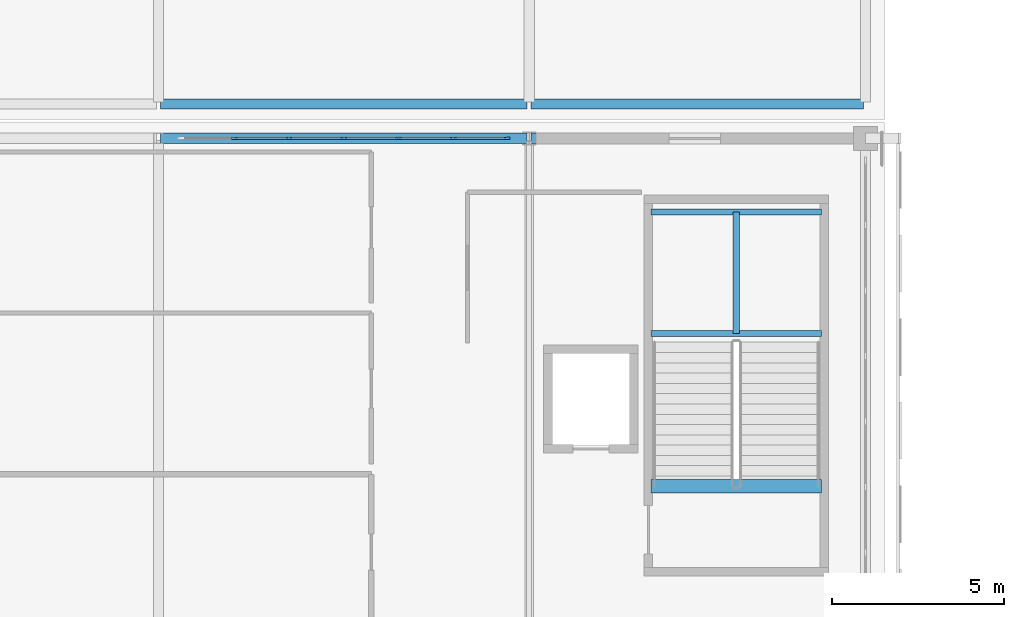
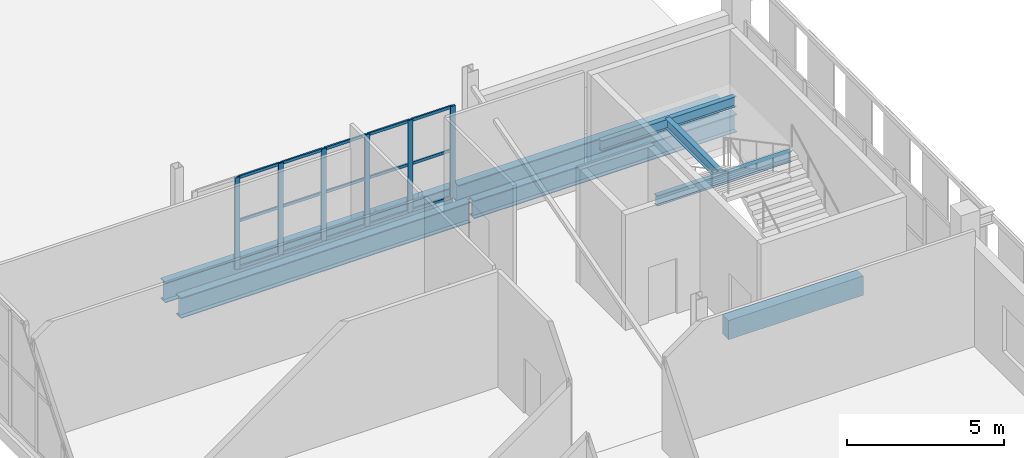
# One storey, part 48 of 104: 21 members, 8 beams, 1 element without a shape of its own.
"""IFC4 building model written with IfcOpenShell, lengths in metres."""

from ifc_helpers import new_model, si_unit, direction, frame, origin, origin_2d, place, context, subcontext, project, spatial, rectangle, i_section, extrude, material, material_profile, profile_set, type_object, element, aggregate, save


model = new_model("IFC4")

# Units and contexts
model_context = context("Model", 3, precision=1e-05, world=origin(), true_north=direction((0.0, 1.0)))
body_context = subcontext(model_context, "Body", "Model", "MODEL_VIEW")
ifc_project = project(units=[si_unit("LENGTHUNIT", "METRE"), si_unit("AREAUNIT", "SQUARE_METRE"), si_unit("VOLUMEUNIT", "CUBIC_METRE"), si_unit("PLANEANGLEUNIT", "RADIAN"), si_unit("MASSUNIT", "GRAM", prefix="KILO")], contexts=[model_context])

# Site, building, storey
site_placement = place(None, origin())
site = spatial("IfcSite", under=ifc_project, at=site_placement, CompositionType="ELEMENT")
building_placement = place(site_placement, origin())
building = spatial("IfcBuilding", under=site, at=building_placement, Name="Koshinbarg Plaza Stadium", CompositionType="ELEMENT")
storey_placement = place(building_placement, frame((0.0, 0.0, 19.800048828125)))
storey = spatial("IfcBuildingStorey", under=building, at=storey_placement, Name="L04", CompositionType="ELEMENT", Elevation=19.800048828125)

# Beams
ifc_material_1 = material(Name="Concrete C40/50", Category="concrete")
ifc_material_profile_1 = material_profile(ifc_material_1, rectangle(XDim=0.39990234375, YDim=0.75, at=origin_2d()), Name="RC 400x750")
ifc_profile_set_1 = profile_set([ifc_material_profile_1], Name="Concrete C40/50")
beam_type_1 = type_object("IfcBeamType", Name="BM-RCG-03", PredefinedType="USERDEFINED", material=ifc_profile_set_1)
beam_1_placement = place(storey_placement, frame((212.14990234375, 116.360107421875, -0.375), z_axis=(1.0, 0.0, 0.0), x_axis=(0.0, 1.0, 0.0)))
element("IfcBeam", 1, at=beam_1_placement, inside=storey, type_object=beam_type_1, Name="L04 stair landing header beam C10", ObjectType="GIRDER", PredefinedType="USERDEFINED", context=body_context, shape_type="SweptSolid", body=[
    extrude(rectangle(XDim=0.39990234375, YDim=0.75, at=origin_2d()), origin(), (0.0, 0.0, 1.0), 4.97021484375),
])
ifc_material_2 = material(Name="Steel S355", Category="steel")
ifc_material_profile_2 = material_profile(ifc_material_2, i_section(OverallWidth=0.179931640625, OverallDepth=0.39990234375, WebThickness=0.008544921875, FlangeThickness=0.013427734375, at=origin_2d()), Name="IPE 400")
ifc_profile_set_2 = profile_set([ifc_material_profile_2], Name="Steel S355")
beam_type_2 = type_object("IfcBeamType", Name="BM-SBM-01", PredefinedType="BEAM", material=ifc_profile_set_2)
for number, where, z_axis, x_axis, name in (
    (2, (212.14990234375, 120.81005859375, 1.8798828125), (1.0, 0.0, 0.0), (0.0, 1.0, 0.0), "L04 Protected Exit Stair C10 landing trimmer beam 1"),
    (3, (212.14990234375, 124.35009765625, 1.8798828125), (1.0, 0.0, 0.0), (0.0, 1.0, 0.0), "L04 Protected Exit Stair C10 landing trimmer beam 2"),
):
    element("IfcBeam", number, at=place(storey_placement, frame(where, z_axis=z_axis, x_axis=x_axis)), inside=storey, type_object=beam_type_2, Name=name, PredefinedType="BEAM", context=body_context, shape_type="SweptSolid", body=[
        extrude(i_section(OverallWidth=0.179931640625, OverallDepth=0.39990234375, WebThickness=0.008544921875, FlangeThickness=0.013427734375, at=origin_2d()), origin(), (0.0, 0.0, 1.0), 4.97021484375),
    ])
beam_2_placement = place(storey_placement, frame((214.635009765625, 120.81005859375, 1.8798828125), z_axis=(0.0, 1.0, 0.0), x_axis=(-1.0, 0.0, 0.0)))
element("IfcBeam", 4, at=beam_2_placement, inside=storey, type_object=beam_type_2, Name="L04 Protected Exit Stair C10 landing trimmer beam 3", PredefinedType="BEAM", context=body_context, shape_type="SweptSolid", body=[
    extrude(i_section(OverallWidth=0.179931640625, OverallDepth=0.39990234375, WebThickness=0.008544921875, FlangeThickness=0.013427734375, at=origin_2d()), origin(), (0.0, 0.0, 1.0), 3.5400390625),
])
ifc_material_profile_3 = material_profile(ifc_material_2, i_section(OverallWidth=0.300048828125, OverallDepth=0.699951171875, WebThickness=0.01708984375, FlangeThickness=0.031982421875, at=origin_2d()), Name="HEB 700")
ifc_profile_set_3 = profile_set([ifc_material_profile_3], Name="Steel S355")
beam_type_3 = type_object("IfcBeamType", Name="BM-SGIR-03", PredefinedType="USERDEFINED", material=ifc_profile_set_3)
for number, where, z_axis, x_axis, name in (
    (5, (208.659912109375, 126.5, -0.650146484375), (1.0, 0.0, 0.0), (0.0, 1.0, 0.0), "L04 X girder R/20-21"),
    (6, (208.659912109375, 127.5, -0.650146484375), (1.0, 0.0, 0.0), (0.0, 1.0, 0.0), "L04 X girder S/20-21"),
):
    element("IfcBeam", number, at=place(storey_placement, frame(where, z_axis=z_axis, x_axis=x_axis)), inside=storey, type_object=beam_type_3, Name=name, ObjectType="GIRDER", PredefinedType="USERDEFINED", context=body_context, shape_type="SweptSolid", body=[
        extrude(i_section(OverallWidth=0.300048828125, OverallDepth=0.699951171875, WebThickness=0.01708984375, FlangeThickness=0.031982421875, at=origin_2d()), origin(), (0.0, 0.0, 1.0), 9.68017578125),
    ])
ifc_material_profile_4 = material_profile(ifc_material_2, i_section(OverallWidth=0.300048828125, OverallDepth=0.800048828125, WebThickness=0.017578125, FlangeThickness=0.032958984375, at=origin_2d()), Name="HEB 800")
ifc_profile_set_4 = profile_set([ifc_material_profile_4], Name="Steel S355")
beam_type_4 = type_object("IfcBeamType", Name="BM-SGIR-04", PredefinedType="USERDEFINED", material=ifc_profile_set_4)
for number, where, z_axis, x_axis, name in (
    (7, (197.860107421875, 126.5, -0.699951171875), (1.0, 0.0, 0.0), (0.0, 1.0, 0.0), "L04 X girder R/19-20"),
    (8, (197.860107421875, 127.5, -0.699951171875), (1.0, 0.0, 0.0), (0.0, 1.0, 0.0), "L04 X girder S/19-20"),
):
    element("IfcBeam", number, at=place(storey_placement, frame(where, z_axis=z_axis, x_axis=x_axis)), inside=storey, type_object=beam_type_4, Name=name, ObjectType="GIRDER", PredefinedType="USERDEFINED", context=body_context, shape_type="SweptSolid", body=[
        extrude(i_section(OverallWidth=0.300048828125, OverallDepth=0.800048828125, WebThickness=0.017578125, FlangeThickness=0.032958984375, at=origin_2d()), origin(), (0.0, 0.0, 1.0), 10.679931640625),
    ])

# Curtain wall, members
ifc_material_3 = material(Name="Thermally broken anodised aluminium and low-E double glazing", Category="aluminium")
curtain_wall_type = type_object("IfcCurtainWallType", Name="CW-SYS-03", PredefinedType="NOTDEFINED", material=ifc_material_3)
curtain_wall_placement = place(storey_placement, origin())
curtain_wall = element("IfcCurtainWall", 9, at=curtain_wall_placement, inside=storey, type_object=curtain_wall_type, Name="L04 unitised curtain wall CW-L04-098", PredefinedType="NOTDEFINED")
ifc_material_4 = material(Name="Anodised aluminium mullion", Category="aluminium")
ifc_material_profile_5 = material_profile(ifc_material_4, rectangle(XDim=0.070068359375, YDim=0.179931640625, at=origin_2d()), Name="ALU 70x180")
ifc_profile_set_5 = profile_set([ifc_material_profile_5], Name="Anodised aluminium mullion")
member_type_1 = type_object("IfcMemberType", Name="CW-MUL-03", PredefinedType="MULLION", material=ifc_profile_set_5)
member_1_placement = place(storey_placement, frame((200.013427734375, 126.5, 0.0), z_axis=(0.0, 0.0, 1.0), x_axis=(0.0, 1.0, 0.0)))
member_1 = element("IfcMember", 10, at=member_1_placement, type_object=member_type_1, Name="CW03 mullion 2", PredefinedType="MULLION", context=body_context, shape_type="SweptSolid", body=[
    extrude(rectangle(XDim=0.070068359375, YDim=0.179931640625, at=origin_2d()), origin(), (0.0, 0.0, 1.0), 3.579833984375),
])
member_2_placement = place(storey_placement, frame((201.606689453125, 126.5, 0.0), z_axis=(0.0, 0.0, 1.0), x_axis=(0.0, 1.0, 0.0)))
member_2 = element("IfcMember", 11, at=member_2_placement, type_object=member_type_1, Name="CW03 mullion 3", PredefinedType="MULLION", context=body_context, shape_type="SweptSolid", body=[
    extrude(rectangle(XDim=0.070068359375, YDim=0.179931640625, at=origin_2d()), origin(), (0.0, 0.0, 1.0), 3.579833984375),
])
member_3_placement = place(storey_placement, frame((203.199951171875, 126.5, 0.0), z_axis=(0.0, 0.0, 1.0), x_axis=(0.0, 1.0, 0.0)))
member_3 = element("IfcMember", 12, at=member_3_placement, type_object=member_type_1, Name="CW03 mullion 4", PredefinedType="MULLION", context=body_context, shape_type="SweptSolid", body=[
    extrude(rectangle(XDim=0.070068359375, YDim=0.179931640625, at=origin_2d()), origin(), (0.0, 0.0, 1.0), 3.579833984375),
])
member_4_placement = place(storey_placement, frame((204.793212890625, 126.5, 0.0), z_axis=(0.0, 0.0, 1.0), x_axis=(0.0, 1.0, 0.0)))
member_4 = element("IfcMember", 13, at=member_4_placement, type_object=member_type_1, Name="CW03 mullion 5", PredefinedType="MULLION", context=body_context, shape_type="SweptSolid", body=[
    extrude(rectangle(XDim=0.070068359375, YDim=0.179931640625, at=origin_2d()), origin(), (0.0, 0.0, 1.0), 3.579833984375),
])
member_5_placement = place(storey_placement, frame((206.38671875, 126.5, 0.0), z_axis=(0.0, 0.0, 1.0), x_axis=(0.0, 1.0, 0.0)))
member_5 = element("IfcMember", 14, at=member_5_placement, type_object=member_type_1, Name="CW03 mullion 6", PredefinedType="MULLION", context=body_context, shape_type="SweptSolid", body=[
    extrude(rectangle(XDim=0.070068359375, YDim=0.179931640625, at=origin_2d()), origin(), (0.0, 0.0, 1.0), 3.579833984375),
])
member_6_placement = place(storey_placement, frame((207.949951171875, 126.5, 0.0), z_axis=(0.0, 0.0, 1.0), x_axis=(0.0, 1.0, 0.0)))
member_6 = element("IfcMember", 15, at=member_6_placement, type_object=member_type_1, Name="CW03 mullion 7", PredefinedType="MULLION", context=body_context, shape_type="SweptSolid", body=[
    extrude(rectangle(XDim=0.070068359375, YDim=0.179931640625, at=origin_2d()), origin(), (0.0, 0.0, 1.0), 3.579833984375),
])
ifc_material_5 = material(Name="Anodised aluminium transom", Category="aluminium")
ifc_material_profile_6 = material_profile(ifc_material_5, rectangle(XDim=0.06005859375, YDim=0.110107421875, at=origin_2d()), Name="ALU 60x110")
ifc_profile_set_6 = profile_set([ifc_material_profile_6], Name="Anodised aluminium transom")
member_type_2 = type_object("IfcMemberType", Name="CW-TRN-01", PredefinedType="USERDEFINED", material=ifc_profile_set_6)
member_7_placement = place(storey_placement, frame((200.043212890625, 126.5, 0.030029296875), z_axis=(1.0, 0.0, 0.0), x_axis=(0.0, 1.0, 0.0)))
member_7 = element("IfcMember", 16, at=member_7_placement, type_object=member_type_2, Name="CW03 transom 2.1", ObjectType="TRANSOM", PredefinedType="USERDEFINED", context=body_context, shape_type="SweptSolid", body=[
    extrude(rectangle(XDim=0.06005859375, YDim=0.110107421875, at=origin_2d()), origin(), (0.0, 0.0, 1.0), 1.533447265625),
])
member_8_placement = place(storey_placement, frame((200.043212890625, 126.5, 1.861572265625), z_axis=(1.0, 0.0, 0.0), x_axis=(0.0, 1.0, 0.0)))
member_8 = element("IfcMember", 17, at=member_8_placement, type_object=member_type_2, Name="CW03 transom 2.2", ObjectType="TRANSOM", PredefinedType="USERDEFINED", context=body_context, shape_type="SweptSolid", body=[
    extrude(rectangle(XDim=0.06005859375, YDim=0.110107421875, at=origin_2d()), origin(), (0.0, 0.0, 1.0), 1.533447265625),
])
member_9_placement = place(storey_placement, frame((200.043212890625, 126.5, 3.550048828125), z_axis=(1.0, 0.0, 0.0), x_axis=(0.0, 1.0, 0.0)))
member_9 = element("IfcMember", 18, at=member_9_placement, type_object=member_type_2, Name="CW03 transom 2.3", ObjectType="TRANSOM", PredefinedType="USERDEFINED", context=body_context, shape_type="SweptSolid", body=[
    extrude(rectangle(XDim=0.06005859375, YDim=0.110107421875, at=origin_2d()), origin(), (0.0, 0.0, 1.0), 1.533447265625),
])
member_10_placement = place(storey_placement, frame((201.63671875, 126.5, 0.030029296875), z_axis=(1.0, 0.0, 0.0), x_axis=(0.0, 1.0, 0.0)))
member_10 = element("IfcMember", 19, at=member_10_placement, type_object=member_type_2, Name="CW03 transom 3.1", ObjectType="TRANSOM", PredefinedType="USERDEFINED", context=body_context, shape_type="SweptSolid", body=[
    extrude(rectangle(XDim=0.06005859375, YDim=0.110107421875, at=origin_2d()), origin(), (0.0, 0.0, 1.0), 1.533203125),
])
member_11_placement = place(storey_placement, frame((201.63671875, 126.5, 1.861572265625), z_axis=(1.0, 0.0, 0.0), x_axis=(0.0, 1.0, 0.0)))
member_11 = element("IfcMember", 20, at=member_11_placement, type_object=member_type_2, Name="CW03 transom 3.2", ObjectType="TRANSOM", PredefinedType="USERDEFINED", context=body_context, shape_type="SweptSolid", body=[
    extrude(rectangle(XDim=0.06005859375, YDim=0.110107421875, at=origin_2d()), origin(), (0.0, 0.0, 1.0), 1.533203125),
])
member_12_placement = place(storey_placement, frame((201.63671875, 126.5, 3.550048828125), z_axis=(1.0, 0.0, 0.0), x_axis=(0.0, 1.0, 0.0)))
member_12 = element("IfcMember", 21, at=member_12_placement, type_object=member_type_2, Name="CW03 transom 3.3", ObjectType="TRANSOM", PredefinedType="USERDEFINED", context=body_context, shape_type="SweptSolid", body=[
    extrude(rectangle(XDim=0.06005859375, YDim=0.110107421875, at=origin_2d()), origin(), (0.0, 0.0, 1.0), 1.533203125),
])
member_13_placement = place(storey_placement, frame((203.22998046875, 126.5, 0.030029296875), z_axis=(1.0, 0.0, 0.0), x_axis=(0.0, 1.0, 0.0)))
member_13 = element("IfcMember", 22, at=member_13_placement, type_object=member_type_2, Name="CW03 transom 4.1", ObjectType="TRANSOM", PredefinedType="USERDEFINED", context=body_context, shape_type="SweptSolid", body=[
    extrude(rectangle(XDim=0.06005859375, YDim=0.110107421875, at=origin_2d()), origin(), (0.0, 0.0, 1.0), 1.533447265625),
])
member_14_placement = place(storey_placement, frame((203.22998046875, 126.5, 1.861572265625), z_axis=(1.0, 0.0, 0.0), x_axis=(0.0, 1.0, 0.0)))
member_14 = element("IfcMember", 23, at=member_14_placement, type_object=member_type_2, Name="CW03 transom 4.2", ObjectType="TRANSOM", PredefinedType="USERDEFINED", context=body_context, shape_type="SweptSolid", body=[
    extrude(rectangle(XDim=0.06005859375, YDim=0.110107421875, at=origin_2d()), origin(), (0.0, 0.0, 1.0), 1.533447265625),
])
member_15_placement = place(storey_placement, frame((203.22998046875, 126.5, 3.550048828125), z_axis=(1.0, 0.0, 0.0), x_axis=(0.0, 1.0, 0.0)))
member_15 = element("IfcMember", 24, at=member_15_placement, type_object=member_type_2, Name="CW03 transom 4.3", ObjectType="TRANSOM", PredefinedType="USERDEFINED", context=body_context, shape_type="SweptSolid", body=[
    extrude(rectangle(XDim=0.06005859375, YDim=0.110107421875, at=origin_2d()), origin(), (0.0, 0.0, 1.0), 1.533447265625),
])
member_16_placement = place(storey_placement, frame((204.8232421875, 126.5, 0.030029296875), z_axis=(1.0, 0.0, 0.0), x_axis=(0.0, 1.0, 0.0)))
member_16 = element("IfcMember", 25, at=member_16_placement, type_object=member_type_2, Name="CW03 transom 5.1", ObjectType="TRANSOM", PredefinedType="USERDEFINED", context=body_context, shape_type="SweptSolid", body=[
    extrude(rectangle(XDim=0.06005859375, YDim=0.110107421875, at=origin_2d()), origin(), (0.0, 0.0, 1.0), 1.533447265625),
])
member_17_placement = place(storey_placement, frame((204.8232421875, 126.5, 1.861572265625), z_axis=(1.0, 0.0, 0.0), x_axis=(0.0, 1.0, 0.0)))
member_17 = element("IfcMember", 26, at=member_17_placement, type_object=member_type_2, Name="CW03 transom 5.2", ObjectType="TRANSOM", PredefinedType="USERDEFINED", context=body_context, shape_type="SweptSolid", body=[
    extrude(rectangle(XDim=0.06005859375, YDim=0.110107421875, at=origin_2d()), origin(), (0.0, 0.0, 1.0), 1.533447265625),
])
member_18_placement = place(storey_placement, frame((204.8232421875, 126.5, 3.550048828125), z_axis=(1.0, 0.0, 0.0), x_axis=(0.0, 1.0, 0.0)))
member_18 = element("IfcMember", 27, at=member_18_placement, type_object=member_type_2, Name="CW03 transom 5.3", ObjectType="TRANSOM", PredefinedType="USERDEFINED", context=body_context, shape_type="SweptSolid", body=[
    extrude(rectangle(XDim=0.06005859375, YDim=0.110107421875, at=origin_2d()), origin(), (0.0, 0.0, 1.0), 1.533447265625),
])
member_19_placement = place(storey_placement, frame((206.416748046875, 126.5, 0.030029296875), z_axis=(1.0, 0.0, 0.0), x_axis=(0.0, 1.0, 0.0)))
member_19 = element("IfcMember", 28, at=member_19_placement, type_object=member_type_2, Name="CW03 transom 6.1", ObjectType="TRANSOM", PredefinedType="USERDEFINED", context=body_context, shape_type="SweptSolid", body=[
    extrude(rectangle(XDim=0.06005859375, YDim=0.110107421875, at=origin_2d()), origin(), (0.0, 0.0, 1.0), 1.503173828125),
])
member_20_placement = place(storey_placement, frame((206.416748046875, 126.5, 1.861572265625), z_axis=(1.0, 0.0, 0.0), x_axis=(0.0, 1.0, 0.0)))
member_20 = element("IfcMember", 29, at=member_20_placement, type_object=member_type_2, Name="CW03 transom 6.2", ObjectType="TRANSOM", PredefinedType="USERDEFINED", context=body_context, shape_type="SweptSolid", body=[
    extrude(rectangle(XDim=0.06005859375, YDim=0.110107421875, at=origin_2d()), origin(), (0.0, 0.0, 1.0), 1.503173828125),
])
member_21_placement = place(storey_placement, frame((206.416748046875, 126.5, 3.550048828125), z_axis=(1.0, 0.0, 0.0), x_axis=(0.0, 1.0, 0.0)))
member_21 = element("IfcMember", 30, at=member_21_placement, type_object=member_type_2, Name="CW03 transom 6.3", ObjectType="TRANSOM", PredefinedType="USERDEFINED", context=body_context, shape_type="SweptSolid", body=[
    extrude(rectangle(XDim=0.06005859375, YDim=0.110107421875, at=origin_2d()), origin(), (0.0, 0.0, 1.0), 1.503173828125),
])
aggregate(curtain_wall, [member_1, member_2, member_3, member_4, member_5, member_6, member_7, member_8, member_9, member_10, member_11, member_12, member_13, member_14, member_15, member_16, member_17, member_18, member_19, member_20, member_21])

save(model, "model.ifc")
